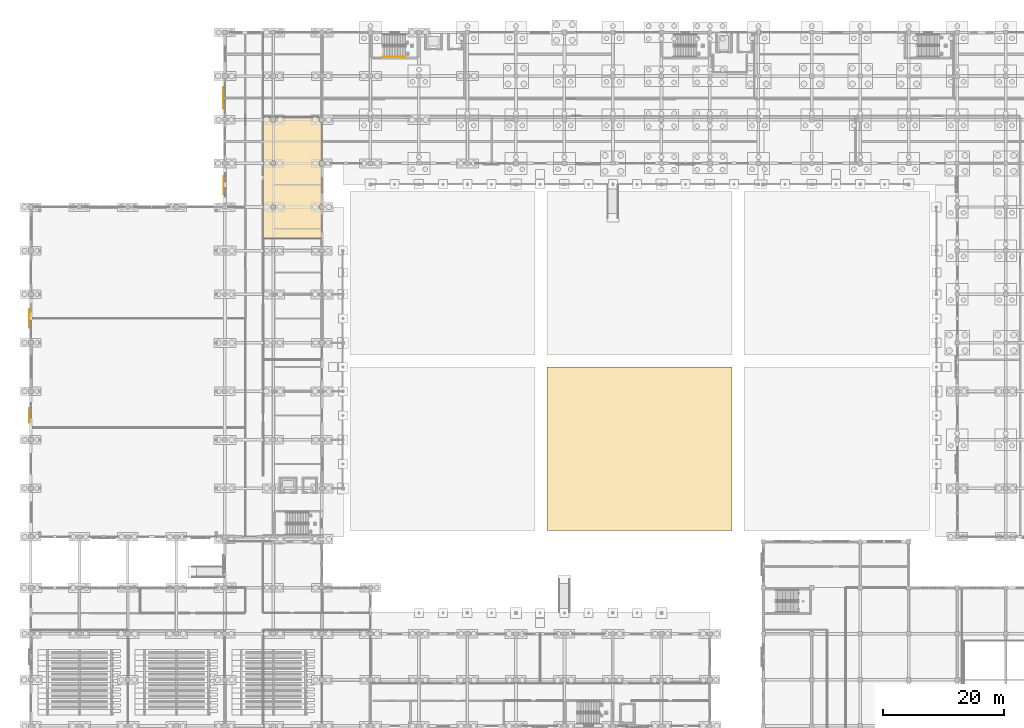
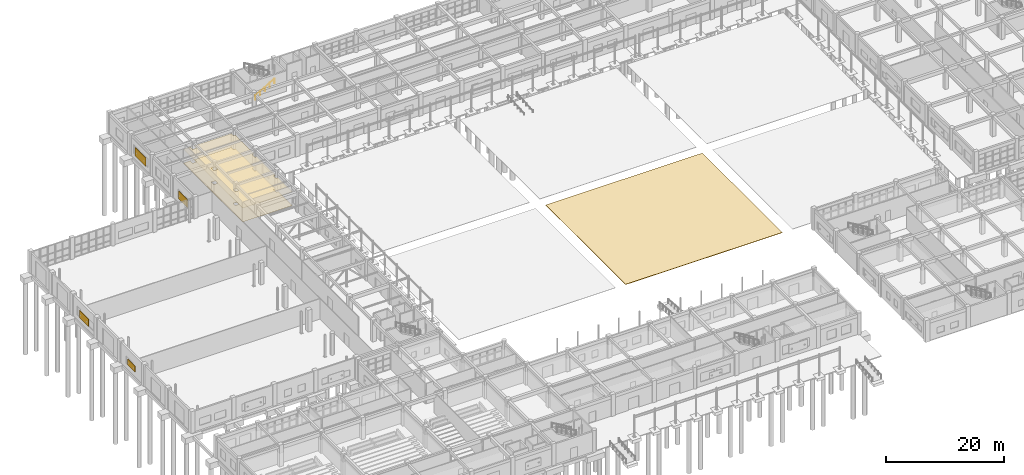
# One storey, part 158 of 166: 4 shading devices, 3 coverings, 1 railing.
"""IFC4 building model written with IfcOpenShell, lengths in metres."""

from ifc_helpers import new_model, si_unit, direction, frame, origin, origin_2d, place, context, subcontext, project, spatial, polyline, rectangle, circle, outline, extrude, material, layer, layer_set, type_object, element, save


model = new_model("IFC4")

# Units and contexts
model_context = context("Model", 3, precision=1e-05, world=origin(), true_north=direction((0.0, 1.0)))
body_context = subcontext(model_context, "Body", "Model", "MODEL_VIEW")
ifc_project = project(units=[si_unit("LENGTHUNIT", "METRE"), si_unit("AREAUNIT", "SQUARE_METRE"), si_unit("VOLUMEUNIT", "CUBIC_METRE"), si_unit("PLANEANGLEUNIT", "RADIAN"), si_unit("MASSUNIT", "GRAM", prefix="KILO")], contexts=[model_context])

# Site, building, storey
site_placement = place(None, origin())
site = spatial("IfcSite", under=ifc_project, at=site_placement, CompositionType="ELEMENT")
building_placement = place(site_placement, origin())
building = spatial("IfcBuilding", under=site, at=building_placement, Name="Kharva Crest Polytechnic", CompositionType="ELEMENT")
storey_placement = place(building_placement, origin())
storey = spatial("IfcBuildingStorey", under=building, at=storey_placement, Name="L00", CompositionType="ELEMENT", Elevation=0.0)

# Coverings
ifc_material_1 = material(Name="Acoustic mineral board")
ifc_layer_1 = layer(ifc_material_1, 0.02490234375, Name="Acoustic mineral board")
ifc_layer_set_1 = layer_set([ifc_layer_1], Name="Acoustic mineral board")
covering_type_1 = type_object("IfcCoveringType", Name="COV-CLG-ACOUSTIC", PredefinedType="CEILING", material=ifc_layer_set_1)
covering_1_placement = place(storey_placement, frame((0.0, 0.0, 2.85009765625)))
element("IfcCovering", 1, at=covering_1_placement, inside=storey, type_object=covering_type_1, Name="L00 Tool Crib and Equipment Store Acoustic Ceiling", PredefinedType="CEILING", context=body_context, shape_type="SweptSolid", body=[
    extrude(outline(polyline([(48.0, 108.0), (48.0, 107.97998046875), (47.6201171875, 107.97998046875), (47.6201171875, 107.219970703125), (48.0, 107.219970703125), (48.0, 100.81005859375), (47.590087890625, 100.81005859375), (47.590087890625, 99.989990234375), (48.0, 99.989990234375), (48.0, 93.610107421875), (47.590087890625, 93.610107421875), (47.590087890625, 92.7900390625), (48.0, 92.7900390625), (48.0, 88.010009765625), (38.31005859375, 88.010009765625), (38.31005859375, 108.0), (48.0, 108.0)]), holes=[polyline([(39.639892578125, 93.56005859375), (39.639892578125, 92.840087890625), (40.360107421875, 92.840087890625), (40.360107421875, 93.56005859375), (39.639892578125, 93.56005859375)]), polyline([(39.614990234375, 100.784912109375), (39.614990234375, 100.014892578125), (40.385009765625, 100.014892578125), (40.385009765625, 100.784912109375), (39.614990234375, 100.784912109375)]), polyline([(39.610107421875, 107.989990234375), (39.610107421875, 107.2099609375), (40.389892578125, 107.2099609375), (40.389892578125, 107.989990234375), (39.610107421875, 107.989990234375)])]), origin(), (0.0, 0.0, 1.0), 0.02490234375),
])
ifc_material_2 = material(Name="Terrazzo tile")
ifc_layer_2 = layer(ifc_material_2, 0.02001953125, Name="Terrazzo tile")
ifc_layer_set_2 = layer_set([ifc_layer_2], Name="Terrazzo tile")
covering_type_2 = type_object("IfcCoveringType", Name="COV-FLR-TERRAZZO", PredefinedType="FLOORING", material=ifc_layer_set_2)
covering_2_placement = place(storey_placement, origin())
element("IfcCovering", 2, at=covering_2_placement, inside=storey, type_object=covering_type_2, Name="L00 Tool Crib and Equipment Store Terrazzo Flooring", PredefinedType="FLOORING", context=body_context, shape_type="SweptSolid", body=[
    extrude(outline(polyline([(48.0, 108.0), (48.0, 107.97998046875), (47.6201171875, 107.97998046875), (47.6201171875, 107.219970703125), (48.0, 107.219970703125), (48.0, 100.81005859375), (47.590087890625, 100.81005859375), (47.590087890625, 99.989990234375), (48.0, 99.989990234375), (48.0, 93.610107421875), (47.590087890625, 93.610107421875), (47.590087890625, 92.7900390625), (48.0, 92.7900390625), (48.0, 88.010009765625), (38.31005859375, 88.010009765625), (38.31005859375, 108.0), (48.0, 108.0)]), holes=[polyline([(39.639892578125, 93.56005859375), (39.639892578125, 92.840087890625), (40.360107421875, 92.840087890625), (40.360107421875, 93.56005859375), (39.639892578125, 93.56005859375)]), polyline([(39.614990234375, 100.784912109375), (39.614990234375, 100.014892578125), (40.385009765625, 100.014892578125), (40.385009765625, 100.784912109375), (39.614990234375, 100.784912109375)]), polyline([(39.610107421875, 107.989990234375), (39.610107421875, 107.2099609375), (40.389892578125, 107.2099609375), (40.389892578125, 107.989990234375), (39.610107421875, 107.989990234375)])]), origin(), (0.0, 0.0, 1.0), 0.02001953125),
])
ifc_layer_3 = layer(ifc_material_2, 0.080078125, Name="Terrazzo tile")
ifc_layer_set_3 = layer_set([ifc_layer_3], Name="Terrazzo tile")
covering_type_3 = type_object("IfcCoveringType", Name="COV-SITE-GRAVEL", PredefinedType="USERDEFINED", material=ifc_layer_set_3)
covering_3_placement = place(storey_placement, frame((0.0, 0.0, -0.080078125)))
element("IfcCovering", 3, at=covering_3_placement, inside=storey, type_object=covering_type_3, Name="L00 Courtyard Gravel Paving Court 3", ObjectType="PAVING", PredefinedType="USERDEFINED", context=body_context, shape_type="SweptSolid", body=[
    extrude(outline(polyline([(85.133056640625, 39.800048828125), (115.6669921875, 39.800048828125), (115.6669921875, 66.800048828125), (85.133056640625, 66.800048828125), (85.133056640625, 39.800048828125)])), origin(), (0.0, 0.0, 1.0), 0.080078125),
])

# Railing
ifc_material_3 = material(Name="Teak timber", Category="wood")
railing_type = type_object("IfcRailingType", Name="RL-STAIR-HAND-900", PredefinedType="HANDRAIL", material=ifc_material_3)
railing_placement = place(storey_placement, frame((58.090087890625, 117.989990234375, 0.14990234375)))
element("IfcRailing", 4, at=railing_placement, inside=storey, type_object=railing_type, Name="L00 ST-03 stair handrail 1", PredefinedType="HANDRAIL", context=body_context, shape_type="SweptSolid", body=[
    extrude(circle(Radius=0.02392578125, at=origin_2d()), frame((0.0, 0.0, 0.8759765625), z_axis=(0.870244811389, 0.0, 0.492619496418), x_axis=(0.0, 1.0, 0.0)), (0.0, 0.0, 1.0), 4.26318359375),
    extrude(circle(Radius=0.02099609375, at=origin_2d()), origin(), (0.0, 0.0, 1.0), 0.851806640625),
    extrude(circle(Radius=0.02099609375, at=origin_2d()), frame((0.927490234375, 0.0, 0.52490234375)), (0.0, 0.0, 1.0), 0.851806640625),
    extrude(circle(Radius=0.02099609375, at=origin_2d()), frame((1.85498046875, 0.0, 1.050048828125)), (0.0, 0.0, 1.0), 0.851806640625),
    extrude(circle(Radius=0.02099609375, at=origin_2d()), frame((2.782470703125, 0.0, 1.5751953125)), (0.0, 0.0, 1.0), 0.851806640625),
    extrude(circle(Radius=0.02099609375, at=origin_2d()), frame((3.7099609375, 0.0, 2.10009765625)), (0.0, 0.0, 1.0), 0.851806640625),
])

# Shading devices
ifc_material_4 = material(Name="Perforated terracotta", Category="masonry")
shading_device_type_1 = type_object("IfcShadingDeviceType", Name="SHD-JAALI-3000X1600", PredefinedType="USERDEFINED", material=ifc_material_4)
for number, where, z_axis, x_axis, name in (
    (5, (-0.22802734375, 74.800048828125, 0.849853515625), (0.0, 0.0, 1.0), (0.0, 1.0, 0.0), "L00 Terracotta Jaali Solar Screen 13"),
    (6, (31.8095703125, 96.8125, 0.849853515625), (0.0, 0.0, 1.0), (0.0, 1.0, 0.0), "L00 Terracotta Jaali Solar Screen 25"),
):
    element("IfcShadingDevice", number, at=place(storey_placement, frame(where, z_axis=z_axis, x_axis=x_axis)), inside=storey, type_object=shading_device_type_1, Name=name, ObjectType="LOUVRE", PredefinedType="USERDEFINED", context=body_context, shape_type="SweptSolid", body=[
        extrude(rectangle(XDim=3.0, YDim=0.080078125, at=origin_2d()), origin(), (0.0, 0.0, 1.0), 1.60009765625),
    ])
shading_device_type_2 = type_object("IfcShadingDeviceType", Name="SHD-JAALI-3600X1800", PredefinedType="USERDEFINED", material=ifc_material_4)
shading_device_1_placement = place(storey_placement, frame((31.79443359375, 111.17041015625, 0.75), z_axis=(0.0, 0.0, 1.0), x_axis=(0.0, 1.0, 0.0)))
element("IfcShadingDevice", 7, at=shading_device_1_placement, inside=storey, type_object=shading_device_type_2, Name="L00 Terracotta Jaali Solar Screen 24", ObjectType="LOUVRE", PredefinedType="USERDEFINED", context=body_context, shape_type="SweptSolid", body=[
    extrude(rectangle(XDim=3.60009765625, YDim=0.080078125, at=origin_2d()), origin(), (0.0, 0.0, 1.0), 1.800048828125),
])
shading_device_type_3 = type_object("IfcShadingDeviceType", Name="SHD-LOUVRE-2400X1200", PredefinedType="USERDEFINED", material=ifc_material_4)
shading_device_2_placement = place(storey_placement, frame((-0.222900390625, 58.800048828125, 1.0498046875), z_axis=(0.0, 0.0, 1.0), x_axis=(0.0, 1.0, 0.0)))
element("IfcShadingDevice", 8, at=shading_device_2_placement, inside=storey, type_object=shading_device_type_3, Name="L00 Terracotta Jaali Solar Screen 14", ObjectType="LOUVRE", PredefinedType="USERDEFINED", context=body_context, shape_type="SweptSolid", body=[
    extrude(rectangle(XDim=2.39990234375, YDim=0.10009765625, at=origin_2d()), origin(), (0.0, 0.0, 1.0), 1.199951171875),
])

save(model, "model.ifc")
